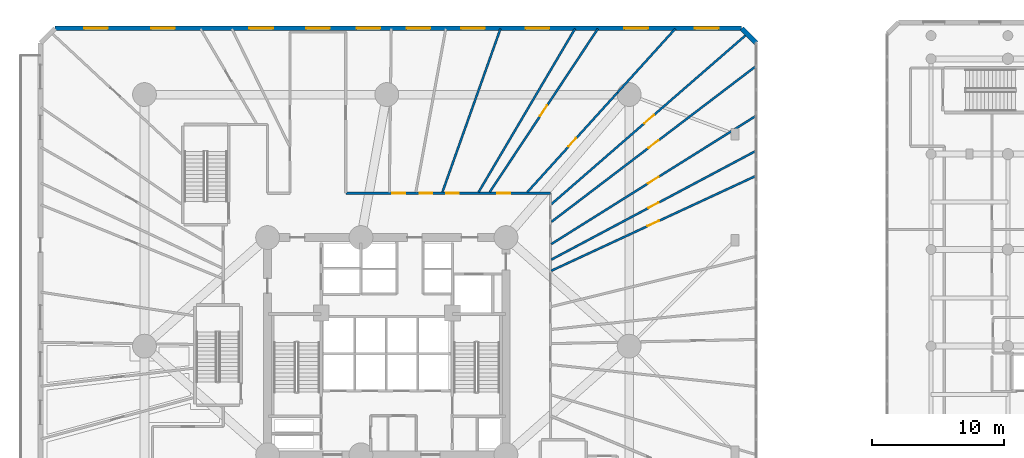
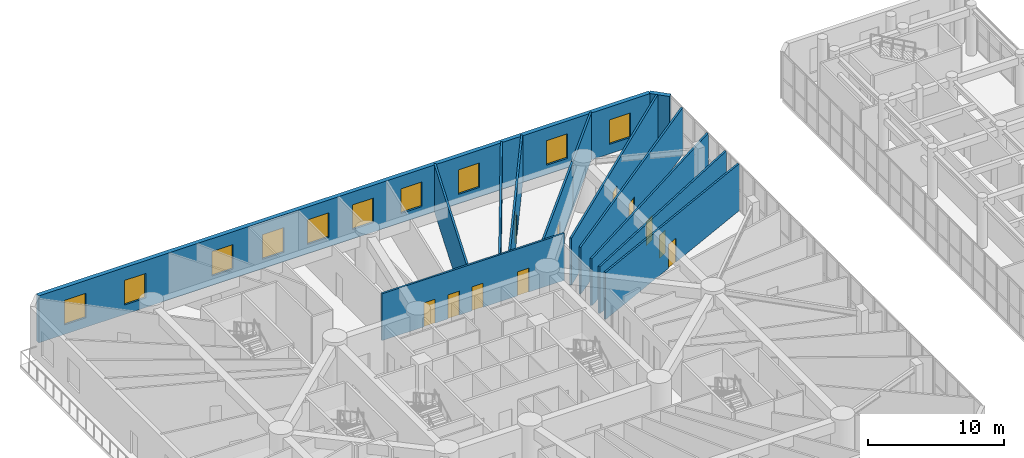
# One storey, part 18 of 26: 13 walls, 11 doors, 10 windows, 21 openings.
"""IFC4 building model written with IfcOpenShell, lengths in metres."""

from ifc_helpers import new_model, si_unit, direction, frame, frame_2d, origin, origin_with_axes, place, context, subcontext, project, spatial, rectangle, extrude, source, transform, mapped, material, layer, layer_set, type_object, element, fill, save


model = new_model("IFC4")

# Units and contexts
model_context = context("Model", 3, precision=1e-05, world=origin(), true_north=direction((0.0, 1.0)))
body_context = subcontext(model_context, "Body", "Model", "MODEL_VIEW")
ifc_project = project(units=[si_unit("LENGTHUNIT", "METRE"), si_unit("AREAUNIT", "SQUARE_METRE"), si_unit("VOLUMEUNIT", "CUBIC_METRE"), si_unit("PLANEANGLEUNIT", "RADIAN"), si_unit("MASSUNIT", "GRAM", prefix="KILO")], contexts=[model_context])

# Site, building, storey
site_placement = place(None, origin())
site = spatial("IfcSite", under=ifc_project, at=site_placement, CompositionType="ELEMENT")
building_placement = place(site_placement, origin())
building = spatial("IfcBuilding", under=site, at=building_placement, Name="Karkom Vertical University and Central Library", CompositionType="ELEMENT")
storey_placement = place(building_placement, frame((0.0, 0.0, 4.5)))
storey = spatial("IfcBuildingStorey", under=building, at=storey_placement, Name="L01", CompositionType="ELEMENT", Elevation=4.5)

# Wall
ifc_material_1 = material(Name="Brick masonry 360mm insulated cavity", Category="masonry")
ifc_layer_1 = layer(ifc_material_1, 0.360107421875)
ifc_layer_set_1 = layer_set([ifc_layer_1], Name="Brick masonry 360mm insulated cavity")
wall_type_1 = type_object("IfcWallType", Name="ENV-WL-BRK-360", PredefinedType="SOLIDWALL", material=ifc_layer_set_1)
wall_1_placement = place(storey_placement, frame((56.39990234375, 49.39990234375, 0.0), z_axis=(0.0, 0.0, 1.0), x_axis=(-0.707028305322, 0.707185248342, 0.0)))
element("IfcWall", 1, at=wall_1_placement, inside=storey, type_object=wall_type_1, Name="Level 01 POD Terracotta Brick Facade Wall 04", PredefinedType="SOLIDWALL", context=body_context, shape_type="SweptSolid", body=[
    extrude(rectangle(XDim=1.5556640625, YDim=0.360107421875, at=frame_2d((0.77783203125, 0.0))), origin(), (0.0, 0.0, 1.0), 4.199951171875),
])

# Wall, openings, windows
wall_2_placement = place(storey_placement, frame((55.300048828125, 50.5, 0.0), z_axis=(0.0, 0.0, 1.0), x_axis=(-1.0, 0.0, 0.0)))
wall_2 = element("IfcWall", 2, at=wall_2_placement, inside=storey, type_object=wall_type_1, Name="Level 01 POD Terracotta Brick Facade Wall 05", PredefinedType="SOLIDWALL", context=body_context, shape_type="SweptSolid", body=[
    extrude(rectangle(XDim=51.85009765625, YDim=0.360107421875, at=frame_2d((25.925048828125, 0.0))), origin(), (0.0, 0.0, 1.0), 4.199951171875),
])
opening_1_placement = place(wall_2_placement, frame((1.738525390625, 0.0, 0.85009765625)))
opening_1 = element("IfcOpeningElement", 3, at=opening_1_placement, cuts=wall_2, Name="Opening WN-01", PredefinedType="OPENING", context=body_context, shape_type="SweptSolid", body=[
    extrude(rectangle(XDim=1.800048828125, YDim=2.199951171875, at=frame_2d((0.89990234375, 1.10009765625))), frame((0.0, 0.18994140625, 0.0), z_axis=(0.0, -1.0, 0.0), x_axis=(1.0, 0.0, 0.0)), (0.0, 0.0, 1.0), 0.380126953125),
])
opening_2_placement = place(wall_2_placement, frame((7.064453125, 0.0, 0.85009765625)))
opening_2 = element("IfcOpeningElement", 4, at=opening_2_placement, cuts=wall_2, Name="Opening WN-01", PredefinedType="OPENING", context=body_context, shape_type="SweptSolid", body=[
    extrude(rectangle(XDim=1.800048828125, YDim=2.199951171875, at=frame_2d((0.89990234375, 1.10009765625))), frame((0.0, 0.18994140625, 0.0), z_axis=(0.0, -1.0, 0.0), x_axis=(1.0, 0.0, 0.0)), (0.0, 0.0, 1.0), 0.380126953125),
])
opening_3_placement = place(wall_2_placement, frame((14.51708984375, 0.0, 0.85009765625)))
opening_3 = element("IfcOpeningElement", 5, at=opening_3_placement, cuts=wall_2, Name="Opening WN-01", PredefinedType="OPENING", context=body_context, shape_type="SweptSolid", body=[
    extrude(rectangle(XDim=1.800048828125, YDim=2.199951171875, at=frame_2d((0.89990234375, 1.10009765625))), frame((0.0, 0.18994140625, 0.0), z_axis=(0.0, -1.0, 0.0), x_axis=(1.0, 0.0, 0.0)), (0.0, 0.0, 1.0), 0.380126953125),
])
opening_4_placement = place(wall_2_placement, frame((19.388671875, 0.0, 0.85009765625)))
opening_4 = element("IfcOpeningElement", 6, at=opening_4_placement, cuts=wall_2, Name="Opening WN-01", PredefinedType="OPENING", context=body_context, shape_type="SweptSolid", body=[
    extrude(rectangle(XDim=1.800048828125, YDim=2.199951171875, at=frame_2d((0.89990234375, 1.10009765625))), frame((0.0, 0.18994140625, 0.0), z_axis=(0.0, -1.0, 0.0), x_axis=(1.0, 0.0, 0.0)), (0.0, 0.0, 1.0), 0.380126953125),
])
opening_5_placement = place(wall_2_placement, frame((23.50732421875, 0.0, 0.85009765625)))
opening_5 = element("IfcOpeningElement", 7, at=opening_5_placement, cuts=wall_2, Name="Opening WN-01", PredefinedType="OPENING", context=body_context, shape_type="SweptSolid", body=[
    extrude(rectangle(XDim=1.800048828125, YDim=2.199951171875, at=frame_2d((0.89990234375, 1.10009765625))), frame((0.0, 0.18994140625, 0.0), z_axis=(0.0, -1.0, 0.0), x_axis=(1.0, 0.0, 0.0)), (0.0, 0.0, 1.0), 0.380126953125),
])
opening_6_placement = place(wall_2_placement, frame((27.282470703125, 0.0, 0.85009765625)))
opening_6 = element("IfcOpeningElement", 8, at=opening_6_placement, cuts=wall_2, Name="Opening WN-01", PredefinedType="OPENING", context=body_context, shape_type="SweptSolid", body=[
    extrude(rectangle(XDim=1.800048828125, YDim=2.199951171875, at=frame_2d((0.89990234375, 1.10009765625))), frame((0.0, 0.18994140625, 0.0), z_axis=(0.0, -1.0, 0.0), x_axis=(1.0, 0.0, 0.0)), (0.0, 0.0, 1.0), 0.380126953125),
])
opening_7_placement = place(wall_2_placement, frame((31.10009765625, 0.0, 0.85009765625)))
opening_7 = element("IfcOpeningElement", 9, at=opening_7_placement, cuts=wall_2, Name="Opening WN-01", PredefinedType="OPENING", context=body_context, shape_type="SweptSolid", body=[
    extrude(rectangle(XDim=1.800048828125, YDim=2.199951171875, at=frame_2d((0.89990234375, 1.10009765625))), frame((0.0, 0.18994140625, 0.0), z_axis=(0.0, -1.0, 0.0), x_axis=(1.0, 0.0, 0.0)), (0.0, 0.0, 1.0), 0.380126953125),
])
opening_8_placement = place(wall_2_placement, frame((35.39208984375, 0.0, 0.85009765625)))
opening_8 = element("IfcOpeningElement", 10, at=opening_8_placement, cuts=wall_2, Name="Opening WN-01", PredefinedType="OPENING", context=body_context, shape_type="SweptSolid", body=[
    extrude(rectangle(XDim=1.800048828125, YDim=2.199951171875, at=frame_2d((0.89990234375, 1.10009765625))), frame((0.0, 0.18994140625, 0.0), z_axis=(0.0, -1.0, 0.0), x_axis=(1.0, 0.0, 0.0)), (0.0, 0.0, 1.0), 0.380126953125),
])
opening_9_placement = place(wall_2_placement, frame((42.796630859375, 0.0, 0.85009765625)))
opening_9 = element("IfcOpeningElement", 11, at=opening_9_placement, cuts=wall_2, Name="Opening WN-01", PredefinedType="OPENING", context=body_context, shape_type="SweptSolid", body=[
    extrude(rectangle(XDim=1.800048828125, YDim=2.199951171875, at=frame_2d((0.89990234375, 1.10009765625))), frame((0.0, 0.18994140625, 0.0), z_axis=(0.0, -1.0, 0.0), x_axis=(1.0, 0.0, 0.0)), (0.0, 0.0, 1.0), 0.380126953125),
])
opening_10_placement = place(wall_2_placement, frame((47.865478515625, 0.0, 0.85009765625)))
opening_10 = element("IfcOpeningElement", 12, at=opening_10_placement, cuts=wall_2, Name="Opening WN-01", PredefinedType="OPENING", context=body_context, shape_type="SweptSolid", body=[
    extrude(rectangle(XDim=1.800048828125, YDim=2.199951171875, at=frame_2d((0.89990234375, 1.10009765625))), frame((0.0, 0.18994140625, 0.0), z_axis=(0.0, -1.0, 0.0), x_axis=(1.0, 0.0, 0.0)), (0.0, 0.0, 1.0), 0.380126953125),
])
ifc_material_2 = material(Name="Aluminium thermal-break frame with solar-control IGU", Category="aluminium")
window_type = type_object("IfcWindowType", Name="ENV-WIN-WN-01", PartitioningType="SINGLE_PANEL", PredefinedType="WINDOW", material=ifc_material_2)
shared_shape_1 = source(origin_with_axes(), body_context, "Body", "SweptSolid", [
    extrude(rectangle(XDim=1.800048828125, YDim=2.199951171875, at=frame_2d((0.89990234375, 1.10009765625))), frame((0.0, 0.030029296875, 0.0), z_axis=(0.0, -1.0, 0.0), x_axis=(1.0, 0.0, 0.0)), (0.0, 0.0, 1.0), 0.06005859375),
])
window_1_placement = place(opening_1_placement, origin())
window_1 = element("IfcWindow", 13, at=window_1_placement, inside=storey, type_object=window_type, Name="Level 01 POD Punched Window 01", OverallHeight=2.199951171875, OverallWidth=1.800048828125, PartitioningType="SINGLE_PANEL", PredefinedType="WINDOW", context=body_context, shape_type="MappedRepresentation", body=[
    mapped(shared_shape_1, transform((0.0, 0.0, 0.0), scale=1.0)),
])
fill(opening_1, window_1)
window_2_placement = place(opening_2_placement, origin())
window_2 = element("IfcWindow", 14, at=window_2_placement, inside=storey, type_object=window_type, Name="Level 01 POD Punched Window 02", OverallHeight=2.199951171875, OverallWidth=1.800048828125, PartitioningType="SINGLE_PANEL", PredefinedType="WINDOW", context=body_context, shape_type="MappedRepresentation", body=[
    mapped(shared_shape_1, transform((0.0, 0.0, 0.0), scale=1.0)),
])
fill(opening_2, window_2)
window_3_placement = place(opening_3_placement, origin())
window_3 = element("IfcWindow", 15, at=window_3_placement, inside=storey, type_object=window_type, Name="Level 01 POD Punched Window 03", OverallHeight=2.199951171875, OverallWidth=1.800048828125, PartitioningType="SINGLE_PANEL", PredefinedType="WINDOW", context=body_context, shape_type="MappedRepresentation", body=[
    mapped(shared_shape_1, transform((0.0, 0.0, 0.0), scale=1.0)),
])
fill(opening_3, window_3)
window_4_placement = place(opening_4_placement, origin())
window_4 = element("IfcWindow", 16, at=window_4_placement, inside=storey, type_object=window_type, Name="Level 01 POD Punched Window 04", OverallHeight=2.199951171875, OverallWidth=1.800048828125, PartitioningType="SINGLE_PANEL", PredefinedType="WINDOW", context=body_context, shape_type="MappedRepresentation", body=[
    mapped(shared_shape_1, transform((0.0, 0.0, 0.0), scale=1.0)),
])
fill(opening_4, window_4)
window_5_placement = place(opening_5_placement, origin())
window_5 = element("IfcWindow", 17, at=window_5_placement, inside=storey, type_object=window_type, Name="Level 01 POD Punched Window 05", OverallHeight=2.199951171875, OverallWidth=1.800048828125, PartitioningType="SINGLE_PANEL", PredefinedType="WINDOW", context=body_context, shape_type="MappedRepresentation", body=[
    mapped(shared_shape_1, transform((0.0, 0.0, 0.0), scale=1.0)),
])
fill(opening_5, window_5)
window_6_placement = place(opening_6_placement, origin())
window_6 = element("IfcWindow", 18, at=window_6_placement, inside=storey, type_object=window_type, Name="Level 01 POD Punched Window 06", OverallHeight=2.199951171875, OverallWidth=1.800048828125, PartitioningType="SINGLE_PANEL", PredefinedType="WINDOW", context=body_context, shape_type="MappedRepresentation", body=[
    mapped(shared_shape_1, transform((0.0, 0.0, 0.0), scale=1.0)),
])
fill(opening_6, window_6)
window_7_placement = place(opening_7_placement, origin())
window_7 = element("IfcWindow", 19, at=window_7_placement, inside=storey, type_object=window_type, Name="Level 01 POD Punched Window 07", OverallHeight=2.199951171875, OverallWidth=1.800048828125, PartitioningType="SINGLE_PANEL", PredefinedType="WINDOW", context=body_context, shape_type="MappedRepresentation", body=[
    mapped(shared_shape_1, transform((0.0, 0.0, 0.0), scale=1.0)),
])
fill(opening_7, window_7)
window_8_placement = place(opening_8_placement, origin())
window_8 = element("IfcWindow", 20, at=window_8_placement, inside=storey, type_object=window_type, Name="Level 01 POD Punched Window 08", OverallHeight=2.199951171875, OverallWidth=1.800048828125, PartitioningType="SINGLE_PANEL", PredefinedType="WINDOW", context=body_context, shape_type="MappedRepresentation", body=[
    mapped(shared_shape_1, transform((0.0, 0.0, 0.0), scale=1.0)),
])
fill(opening_8, window_8)
window_9_placement = place(opening_9_placement, origin())
window_9 = element("IfcWindow", 21, at=window_9_placement, inside=storey, type_object=window_type, Name="Level 01 POD Punched Window 09", OverallHeight=2.199951171875, OverallWidth=1.800048828125, PartitioningType="SINGLE_PANEL", PredefinedType="WINDOW", context=body_context, shape_type="MappedRepresentation", body=[
    mapped(shared_shape_1, transform((0.0, 0.0, 0.0), scale=1.0)),
])
fill(opening_9, window_9)
window_10_placement = place(opening_10_placement, origin())
window_10 = element("IfcWindow", 22, at=window_10_placement, inside=storey, type_object=window_type, Name="Level 01 POD Punched Window 10", OverallHeight=2.199951171875, OverallWidth=1.800048828125, PartitioningType="SINGLE_PANEL", PredefinedType="WINDOW", context=body_context, shape_type="MappedRepresentation", body=[
    mapped(shared_shape_1, transform((0.0, 0.0, 0.0), scale=1.0)),
])
fill(opening_10, window_10)

# Wall, opening, door
ifc_material_3 = material(Name="Insulated metal-stud drywall 160mm", Category="gypsum")
ifc_layer_2 = layer(ifc_material_3, 0.159912109375)
ifc_layer_set_2 = layer_set([ifc_layer_2], Name="Insulated metal-stud drywall 160mm")
wall_type_2 = type_object("IfcWallType", Name="INT-WL-COR-160", PredefinedType="PARTITIONING", material=ifc_layer_set_2)
wall_3_placement = place(storey_placement, frame((40.931884765625, 37.227294921875, 0.0), z_axis=(0.0, 0.0, 1.0), x_axis=(0.754711343855, 0.656057000158, 0.0)))
wall_3 = element("IfcWall", 23, at=wall_3_placement, inside=storey, type_object=wall_type_2, Name="Level 01 Interior Partition Wall Level 01-PODW-29-30-1", PredefinedType="PARTITIONING", context=body_context, shape_type="SweptSolid", body=[
    extrude(rectangle(XDim=19.567626953125, YDim=0.159912109375, at=frame_2d((9.78369140625, 0.0))), origin(), (0.0, 0.0, 1.0), 4.199951171875),
])
opening_11_placement = place(wall_3_placement, frame((9.291259765625, 0.0, 0.0)))
opening_11 = element("IfcOpeningElement", 24, at=opening_11_placement, cuts=wall_3, Name="Opening FD-RM2", PredefinedType="OPENING", context=body_context, shape_type="SweptSolid", body=[
    extrude(rectangle(XDim=0.9599609375, YDim=2.14990234375, at=frame_2d((0.47998046875, 1.074951171875))), frame((0.0, 0.08984375, 0.0), z_axis=(0.0, -1.0, 0.0), x_axis=(1.0, 0.0, 0.0)), (0.0, 0.0, 1.0), 0.179931640625),
])
ifc_material_4 = material(Name="Fire-rated oak veneer door", Category="wood")
door_type_1 = type_object("IfcDoorType", Name="INT-DR-FRM2", OperationType="NOTDEFINED", PredefinedType="DOOR", material=ifc_material_4)
shared_shape_2 = source(origin_with_axes(), body_context, "Body", "SweptSolid", [
    extrude(rectangle(XDim=0.9599609375, YDim=2.14990234375, at=frame_2d((0.47998046875, 1.074951171875))), frame((0.0, 0.02490234375, 0.0), z_axis=(0.0, -1.0, 0.0), x_axis=(1.0, 0.0, 0.0)), (0.0, 0.0, 1.0), 0.050048828125),
])
door_1_placement = place(opening_11_placement, origin())
door_1 = element("IfcDoor", 25, at=door_1_placement, inside=storey, type_object=door_type_1, Name="Level 01 Room Entry Door 829", OperationType="SINGLE_SWING_RIGHT", OverallHeight=2.14990234375, OverallWidth=0.9599609375, PredefinedType="DOOR", context=body_context, shape_type="MappedRepresentation", body=[
    mapped(shared_shape_2, transform((0.0, 0.0, 0.0), scale=1.0)),
])
fill(opening_11, door_1)

wall_4_placement = place(storey_placement, frame((40.931884765625, 35.887939453125, 0.0), z_axis=(0.0, 0.0, 1.0), x_axis=(0.795705622, 0.605683550311, 0.0)))
wall_4 = element("IfcWall", 26, at=wall_4_placement, inside=storey, type_object=wall_type_2, Name="Level 01 Interior Partition Wall Level 01-PODW-28-29-1", PredefinedType="PARTITIONING", context=body_context, shape_type="SweptSolid", body=[
    extrude(rectangle(XDim=19.3916015625, YDim=0.159912109375, at=frame_2d((9.69580078125, 0.0))), origin(), (0.0, 0.0, 1.0), 4.199951171875),
])
opening_12_placement = place(wall_4_placement, frame((9.203125, 0.0, 0.0)))
opening_12 = element("IfcOpeningElement", 27, at=opening_12_placement, cuts=wall_4, Name="Opening FD-RM2", PredefinedType="OPENING", context=body_context, shape_type="SweptSolid", body=[
    extrude(rectangle(XDim=0.9599609375, YDim=2.14990234375, at=frame_2d((0.47998046875, 1.074951171875))), frame((0.0, 0.08984375, 0.0), z_axis=(0.0, -1.0, 0.0), x_axis=(1.0, 0.0, 0.0)), (0.0, 0.0, 1.0), 0.179931640625),
])
door_2_placement = place(opening_12_placement, origin())
door_2 = element("IfcDoor", 28, at=door_2_placement, inside=storey, type_object=door_type_1, Name="Level 01 Room Entry Door 828", OperationType="SINGLE_SWING_LEFT", OverallHeight=2.14990234375, OverallWidth=0.9599609375, PredefinedType="DOOR", context=body_context, shape_type="MappedRepresentation", body=[
    mapped(shared_shape_2, transform((0.0, 0.0, 0.0), scale=1.0)),
])
fill(opening_12, door_2)

wall_5_placement = place(storey_placement, frame((40.919189453125, 34.208251953125, 0.0), z_axis=(0.0, 0.0, 1.0), x_axis=(0.847469594602, 0.530843937731, 0.0)))
wall_5 = element("IfcWall", 29, at=wall_5_placement, inside=storey, type_object=wall_type_2, Name="Level 01 Interior Partition Wall Level 01-PODW-27-28-1", PredefinedType="PARTITIONING", context=body_context, shape_type="SweptSolid", body=[
    extrude(rectangle(XDim=18.225830078125, YDim=0.159912109375, at=frame_2d((9.11279296875, 0.0))), origin(), (0.0, 0.0, 1.0), 4.199951171875),
])
opening_13_placement = place(wall_5_placement, frame((8.61279296875, 0.0, 0.0)))
opening_13 = element("IfcOpeningElement", 30, at=opening_13_placement, cuts=wall_5, Name="Opening FD-RM2", PredefinedType="OPENING", context=body_context, shape_type="SweptSolid", body=[
    extrude(rectangle(XDim=0.9599609375, YDim=2.14990234375, at=frame_2d((0.47998046875, 1.074951171875))), frame((0.0, 0.08984375, 0.0), z_axis=(0.0, -1.0, 0.0), x_axis=(1.0, 0.0, 0.0)), (0.0, 0.0, 1.0), 0.179931640625),
])
door_3_placement = place(opening_13_placement, origin())
door_3 = element("IfcDoor", 31, at=door_3_placement, inside=storey, type_object=door_type_1, Name="Level 01 Room Entry Door 827", OperationType="SINGLE_SWING_RIGHT", OverallHeight=2.14990234375, OverallWidth=0.9599609375, PredefinedType="DOOR", context=body_context, shape_type="MappedRepresentation", body=[
    mapped(shared_shape_2, transform((0.0, 0.0, 0.0), scale=1.0)),
])
fill(opening_13, door_3)

wall_6_placement = place(storey_placement, frame((40.918701171875, 33.031982421875, 0.0), z_axis=(0.0, 0.0, 1.0), x_axis=(0.883043074969, 0.469291942984, 0.0)))
wall_6 = element("IfcWall", 32, at=wall_6_placement, inside=storey, type_object=wall_type_2, Name="Level 01 Interior Partition Wall Level 01-PODW-26-27-1", PredefinedType="PARTITIONING", context=body_context, shape_type="SweptSolid", body=[
    extrude(rectangle(XDim=17.494873046875, YDim=0.159912109375, at=frame_2d((8.74755859375, 0.0))), origin(), (0.0, 0.0, 1.0), 4.199951171875),
])
opening_14_placement = place(wall_6_placement, frame((8.3173828125, 0.0, 0.0)))
opening_14 = element("IfcOpeningElement", 33, at=opening_14_placement, cuts=wall_6, Name="Opening FD-BTH2", PredefinedType="OPENING", context=body_context, shape_type="SweptSolid", body=[
    extrude(rectangle(XDim=0.860107421875, YDim=2.0400390625, at=frame_2d((0.43017578125, 1.02001953125))), frame((0.0, 0.08984375, 0.0), z_axis=(0.0, -1.0, 0.0), x_axis=(1.0, 0.0, 0.0)), (0.0, 0.0, 1.0), 0.179931640625),
])
ifc_material_5 = material(Name="Fire-rated moisture-resistant oak door", Category="wood")
door_type_2 = type_object("IfcDoorType", Name="INT-DR-FBTH2", OperationType="NOTDEFINED", PredefinedType="DOOR", material=ifc_material_5)
shared_shape_3 = source(origin_with_axes(), body_context, "Body", "SweptSolid", [
    extrude(rectangle(XDim=0.860107421875, YDim=2.0400390625, at=frame_2d((0.43017578125, 1.02001953125))), frame((0.0, 0.02490234375, 0.0), z_axis=(0.0, -1.0, 0.0), x_axis=(1.0, 0.0, 0.0)), (0.0, 0.0, 1.0), 0.050048828125),
])
door_4_placement = place(opening_14_placement, origin())
door_4 = element("IfcDoor", 34, at=door_4_placement, inside=storey, type_object=door_type_2, Name="Level 01 Student Refectory Dining Hall Entry Door", OperationType="SINGLE_SWING_LEFT", OverallHeight=2.0400390625, OverallWidth=0.860107421875, PredefinedType="DOOR", context=body_context, shape_type="MappedRepresentation", body=[
    mapped(shared_shape_3, transform((0.0, 0.0, 0.0), scale=1.0)),
])
fill(opening_14, door_4)

wall_7_placement = place(storey_placement, frame((40.91845703125, 32.191650390625, 0.0), z_axis=(0.0, 0.0, 1.0), x_axis=(0.907224152949, 0.420647520265, 0.0)))
wall_7 = element("IfcWall", 35, at=wall_7_placement, inside=storey, type_object=wall_type_2, Name="Level 01 Interior Partition Wall Level 01-PODW-25-26-1", PredefinedType="PARTITIONING", context=body_context, shape_type="SweptSolid", body=[
    extrude(rectangle(XDim=17.030517578125, YDim=0.159912109375, at=frame_2d((8.51513671875, 0.0))), origin(), (0.0, 0.0, 1.0), 4.199951171875),
])
opening_15_placement = place(wall_7_placement, frame((8.015380859375, 0.0, 0.0)))
opening_15 = element("IfcOpeningElement", 36, at=opening_15_placement, cuts=wall_7, Name="Opening FD-RM2", PredefinedType="OPENING", context=body_context, shape_type="SweptSolid", body=[
    extrude(rectangle(XDim=0.9599609375, YDim=2.14990234375, at=frame_2d((0.47998046875, 1.074951171875))), frame((0.0, 0.08984375, 0.0), z_axis=(0.0, -1.0, 0.0), x_axis=(1.0, 0.0, 0.0)), (0.0, 0.0, 1.0), 0.179931640625),
])
door_5_placement = place(opening_15_placement, origin())
door_5 = element("IfcDoor", 37, at=door_5_placement, inside=storey, type_object=door_type_1, Name="Level 01 Room Entry Door 825", OperationType="SINGLE_SWING_RIGHT", OverallHeight=2.14990234375, OverallWidth=0.9599609375, PredefinedType="DOOR", context=body_context, shape_type="MappedRepresentation", body=[
    mapped(shared_shape_2, transform((0.0, 0.0, 0.0), scale=1.0)),
])
fill(opening_15, door_5)

# Wall, openings, doors
wall_8_placement = place(storey_placement, frame((25.39990234375, 38.050048828125, 0.0), z_axis=(0.0, 0.0, 1.0), x_axis=(1.0, 0.0, 0.0)))
wall_8 = element("IfcWall", 38, at=wall_8_placement, inside=storey, type_object=wall_type_2, Name="Level 01 Interior Partition Wall Level 01-PDCW-CW-008", PredefinedType="PARTITIONING", context=body_context, shape_type="SweptSolid", body=[
    extrude(rectangle(XDim=15.4501953125, YDim=0.159912109375, at=frame_2d((7.72509765625, 0.0))), origin(), (0.0, 0.0, 1.0), 4.199951171875),
])
opening_16_placement = place(wall_8_placement, frame((11.452392578125, 0.0, 0.0)))
opening_16 = element("IfcOpeningElement", 39, at=opening_16_placement, cuts=wall_8, Name="Opening FD-RM2", PredefinedType="OPENING", context=body_context, shape_type="SweptSolid", body=[
    extrude(rectangle(XDim=0.9599609375, YDim=2.14990234375, at=frame_2d((0.47998046875, 1.074951171875))), frame((0.0, 0.08984375, 0.0), z_axis=(0.0, -1.0, 0.0), x_axis=(1.0, 0.0, 0.0)), (0.0, 0.0, 1.0), 0.179931640625),
])
opening_17_placement = place(wall_8_placement, frame((7.590087890625, 0.0, 0.0)))
opening_17 = element("IfcOpeningElement", 40, at=opening_17_placement, cuts=wall_8, Name="Opening FD-RM2", PredefinedType="OPENING", context=body_context, shape_type="SweptSolid", body=[
    extrude(rectangle(XDim=0.9599609375, YDim=2.14990234375, at=frame_2d((0.47998046875, 1.074951171875))), frame((0.0, 0.08984375, 0.0), z_axis=(0.0, -1.0, 0.0), x_axis=(1.0, 0.0, 0.0)), (0.0, 0.0, 1.0), 0.179931640625),
])
opening_18_placement = place(wall_8_placement, frame((5.572509765625, 0.0, 0.0)))
opening_18 = element("IfcOpeningElement", 41, at=opening_18_placement, cuts=wall_8, Name="Opening FD-RM2", PredefinedType="OPENING", context=body_context, shape_type="SweptSolid", body=[
    extrude(rectangle(XDim=0.9599609375, YDim=2.14990234375, at=frame_2d((0.47998046875, 1.074951171875))), frame((0.0, 0.08984375, 0.0), z_axis=(0.0, -1.0, 0.0), x_axis=(1.0, 0.0, 0.0)), (0.0, 0.0, 1.0), 0.179931640625),
])
opening_19_placement = place(wall_8_placement, frame((3.527587890625, 0.0, 0.0)))
opening_19 = element("IfcOpeningElement", 42, at=opening_19_placement, cuts=wall_8, Name="Opening FD-RM2", PredefinedType="OPENING", context=body_context, shape_type="SweptSolid", body=[
    extrude(rectangle(XDim=0.9599609375, YDim=2.14990234375, at=frame_2d((0.47998046875, 1.074951171875))), frame((0.0, 0.08984375, 0.0), z_axis=(0.0, -1.0, 0.0), x_axis=(1.0, 0.0, 0.0)), (0.0, 0.0, 1.0), 0.179931640625),
])
door_6_placement = place(opening_16_placement, origin())
door_6 = element("IfcDoor", 43, at=door_6_placement, inside=storey, type_object=door_type_1, Name="Level 01 Room Entry Door 830", OperationType="SINGLE_SWING_LEFT", OverallHeight=2.14990234375, OverallWidth=0.9599609375, PredefinedType="DOOR", context=body_context, shape_type="MappedRepresentation", body=[
    mapped(shared_shape_2, transform((0.0, 0.0, 0.0), scale=1.0)),
])
fill(opening_16, door_6)
door_7_placement = place(opening_17_placement, origin())
door_7 = element("IfcDoor", 44, at=door_7_placement, inside=storey, type_object=door_type_1, Name="Level 01 Room Entry Door 832", OperationType="SINGLE_SWING_LEFT", OverallHeight=2.14990234375, OverallWidth=0.9599609375, PredefinedType="DOOR", context=body_context, shape_type="MappedRepresentation", body=[
    mapped(shared_shape_2, transform((0.0, 0.0, 0.0), scale=1.0)),
])
fill(opening_17, door_7)
door_8_placement = place(opening_18_placement, origin())
door_8 = element("IfcDoor", 45, at=door_8_placement, inside=storey, type_object=door_type_1, Name="Level 01 Room Entry Door 833", OperationType="SINGLE_SWING_RIGHT", OverallHeight=2.14990234375, OverallWidth=0.9599609375, PredefinedType="DOOR", context=body_context, shape_type="MappedRepresentation", body=[
    mapped(shared_shape_2, transform((0.0, 0.0, 0.0), scale=1.0)),
])
fill(opening_18, door_8)
door_9_placement = place(opening_19_placement, origin())
door_9 = element("IfcDoor", 46, at=door_9_placement, inside=storey, type_object=door_type_1, Name="Level 01 Room Entry Door 834", OperationType="SINGLE_SWING_LEFT", OverallHeight=2.14990234375, OverallWidth=0.9599609375, PredefinedType="DOOR", context=body_context, shape_type="MappedRepresentation", body=[
    mapped(shared_shape_2, transform((0.0, 0.0, 0.0), scale=1.0)),
])
fill(opening_19, door_9)

# Wall, opening, door
wall_9_placement = place(storey_placement, frame((36.27294921875, 38.132080078125, 0.0), z_axis=(0.0, 0.0, 1.0), x_axis=(0.552038412562, 0.833818679963, 0.0)))
wall_9 = element("IfcWall", 47, at=wall_9_placement, inside=storey, type_object=wall_type_2, Name="Level 01 Interior Partition Wall Level 01-PODW-31-32-1", PredefinedType="PARTITIONING", context=body_context, shape_type="SweptSolid", body=[
    extrude(rectangle(XDim=14.789794921875, YDim=0.159912109375, at=frame_2d((7.39501953125, 0.0))), origin(), (0.0, 0.0, 1.0), 4.199951171875),
])
opening_20_placement = place(wall_9_placement, frame((6.902587890625, 0.0, 0.0)))
opening_20 = element("IfcOpeningElement", 48, at=opening_20_placement, cuts=wall_9, Name="Opening FD-RM2", PredefinedType="OPENING", context=body_context, shape_type="SweptSolid", body=[
    extrude(rectangle(XDim=0.9599609375, YDim=2.14990234375, at=frame_2d((0.47998046875, 1.074951171875))), frame((0.0, 0.08984375, 0.0), z_axis=(0.0, -1.0, 0.0), x_axis=(1.0, 0.0, 0.0)), (0.0, 0.0, 1.0), 0.179931640625),
])
door_10_placement = place(opening_20_placement, origin())
door_10 = element("IfcDoor", 49, at=door_10_placement, inside=storey, type_object=door_type_1, Name="Level 01 Room Entry Door 831", OperationType="SINGLE_SWING_RIGHT", OverallHeight=2.14990234375, OverallWidth=0.9599609375, PredefinedType="DOOR", context=body_context, shape_type="MappedRepresentation", body=[
    mapped(shared_shape_2, transform((0.0, 0.0, 0.0), scale=1.0)),
])
fill(opening_20, door_10)

# Walls
wall_10_placement = place(storey_placement, frame((35.42578125, 38.119140625, 0.0), z_axis=(0.0, 0.0, 1.0), x_axis=(0.508185874547, 0.861247419103, 0.0)))
element("IfcWall", 50, at=wall_10_placement, inside=storey, type_object=wall_type_2, Name="Level 01 Interior Partition Wall Level 01-PODW-32-33-1", PredefinedType="PARTITIONING", context=body_context, shape_type="SweptSolid", body=[
    extrude(rectangle(XDim=14.336181640625, YDim=0.159912109375, at=frame_2d((7.16796875, 0.0))), origin(), (0.0, 0.0, 1.0), 4.199951171875),
])
wall_11_placement = place(storey_placement, frame((32.6982421875, 38.132080078125, 0.0), z_axis=(0.0, 0.0, 1.0), x_axis=(0.33492470538, 0.942244894773, 0.0)))
element("IfcWall", 51, at=wall_11_placement, inside=storey, type_object=wall_type_2, Name="Level 01 Interior Partition Wall Level 01-PODW-33-34-1", PredefinedType="PARTITIONING", context=body_context, shape_type="SweptSolid", body=[
    extrude(rectangle(XDim=13.095458984375, YDim=0.159912109375, at=frame_2d((6.5478515625, 0.0))), origin(), (0.0, 0.0, 1.0), 4.199951171875),
])

# Wall, opening, door
wall_12_placement = place(storey_placement, frame((39.1142578125, 38.132080078125, 0.0), z_axis=(0.0, 0.0, 1.0), x_axis=(0.671237186901, 0.741242631613, 0.0)))
wall_12 = element("IfcWall", 52, at=wall_12_placement, inside=storey, type_object=wall_type_2, Name="Level 01 Interior Partition Wall Level 01-PODW-30-31-1", PredefinedType="PARTITIONING", context=body_context, shape_type="SweptSolid", body=[
    extrude(rectangle(XDim=10.1240234375, YDim=0.159912109375, at=frame_2d((5.06201171875, 0.0))), origin(), (0.0, 0.0, 1.0), 4.199951171875),
])
opening_21_placement = place(wall_12_placement, frame((4.632080078125, 0.0, 0.0)))
opening_21 = element("IfcOpeningElement", 53, at=opening_21_placement, cuts=wall_12, Name="Opening FD-BTH2", PredefinedType="OPENING", context=body_context, shape_type="SweptSolid", body=[
    extrude(rectangle(XDim=0.860107421875, YDim=2.0400390625, at=frame_2d((0.43017578125, 1.02001953125))), frame((0.0, 0.08984375, 0.0), z_axis=(0.0, -1.0, 0.0), x_axis=(1.0, 0.0, 0.0)), (0.0, 0.0, 1.0), 0.179931640625),
])
door_11_placement = place(opening_21_placement, origin())
door_11 = element("IfcDoor", 54, at=door_11_placement, inside=storey, type_object=door_type_2, Name="Level 01 Student Study Lounge Entry Door", OperationType="SINGLE_SWING_RIGHT", OverallHeight=2.0400390625, OverallWidth=0.860107421875, PredefinedType="DOOR", context=body_context, shape_type="MappedRepresentation", body=[
    mapped(shared_shape_3, transform((0.0, 0.0, 0.0), scale=1.0)),
])
fill(opening_21, door_11)

# Wall
wall_13_placement = place(storey_placement, frame((45.913330078125, 45.64013671875, 0.0), z_axis=(0.0, 0.0, 1.0), x_axis=(0.671236287412, 0.741243446151, 0.0)))
element("IfcWall", 55, at=wall_13_placement, inside=storey, type_object=wall_type_2, Name="Level 01 Interior Partition Wall Level 01-PODW-30-31-2", PredefinedType="PARTITIONING", context=body_context, shape_type="SweptSolid", body=[
    extrude(rectangle(XDim=6.510986328125, YDim=0.159912109375, at=frame_2d((3.25537109375, 0.0))), origin(), (0.0, 0.0, 1.0), 4.199951171875),
])

save(model, "model.ifc")
